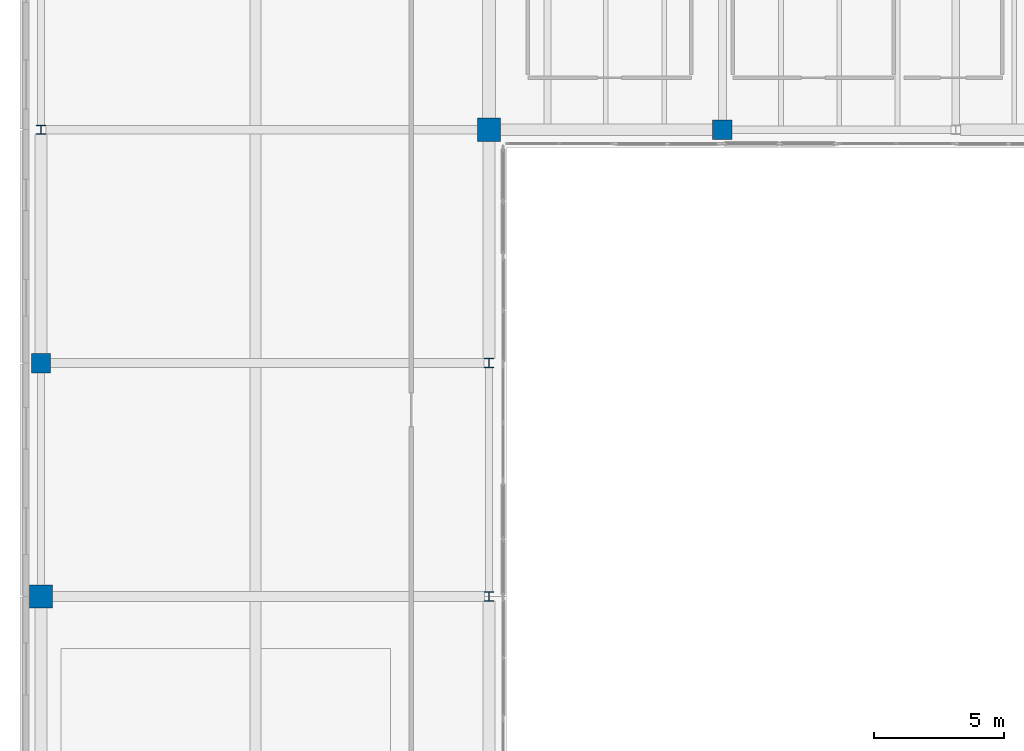
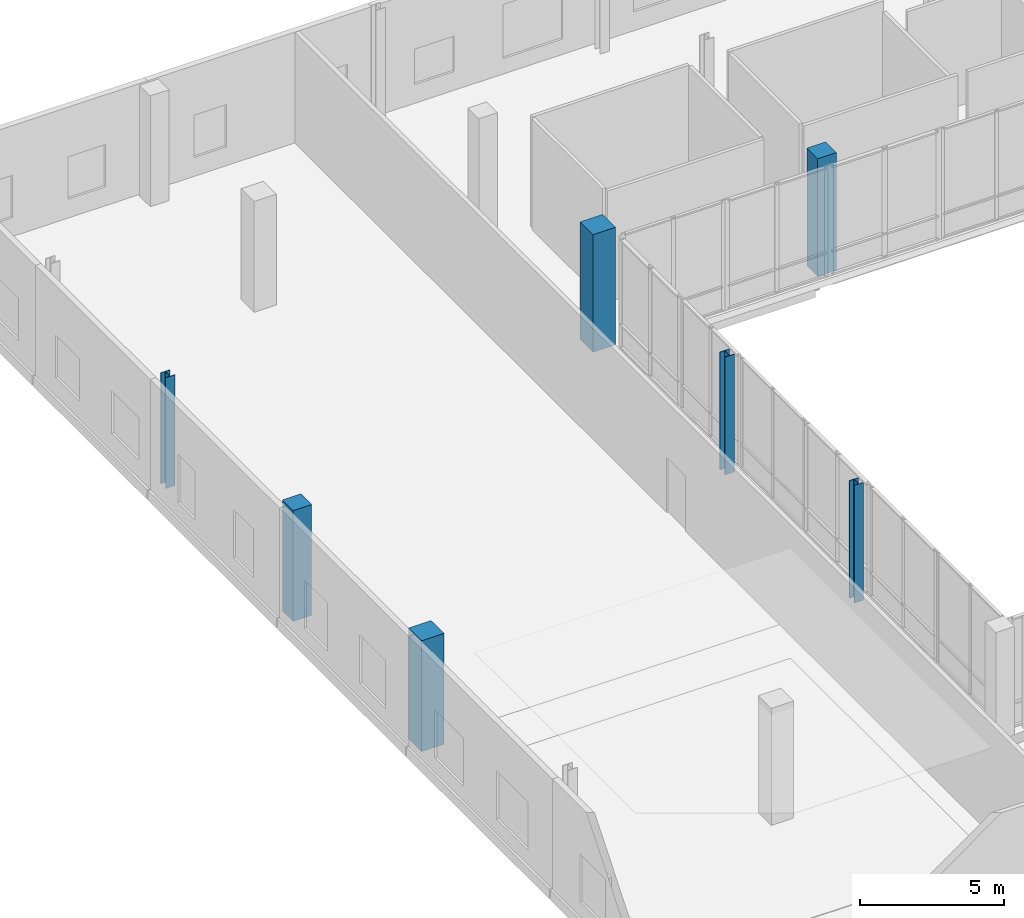
# One storey, part 7 of 73: 7 columns.
"""IFC4 building model written with IfcOpenShell, lengths in metres."""

from ifc_helpers import new_model, si_unit, direction, frame, origin, origin_2d, place, context, subcontext, project, spatial, rectangle, i_section, extrude, material, material_profile, profile_set, type_object, element, save


model = new_model("IFC4")

# Units and contexts
model_context = context("Model", 3, precision=1e-05, world=origin(), true_north=direction((0.0, 1.0)))
body_context = subcontext(model_context, "Body", "Model", "MODEL_VIEW")
ifc_project = project(units=[si_unit("LENGTHUNIT", "METRE"), si_unit("AREAUNIT", "SQUARE_METRE"), si_unit("VOLUMEUNIT", "CUBIC_METRE"), si_unit("PLANEANGLEUNIT", "RADIAN"), si_unit("MASSUNIT", "GRAM", prefix="KILO")], contexts=[model_context])

# Site, building, storey
site_placement = place(None, origin())
site = spatial("IfcSite", under=ifc_project, at=site_placement, CompositionType="ELEMENT")
building_placement = place(site_placement, origin())
building = spatial("IfcBuilding", under=site, at=building_placement, Name="Trimount Lyric Opera House", CompositionType="ELEMENT")
storey_placement = place(building_placement, frame((0.0, 0.0, 10.0)))
storey = spatial("IfcBuildingStorey", under=building, at=storey_placement, Name="L02", CompositionType="ELEMENT", Elevation=10.0)

# Columns
ifc_material_1 = material(Name="Steel ASTM A992 Grade 50", Category="steel")
ifc_material_profile_1 = material_profile(ifc_material_1, i_section(OverallWidth=0.373046875, OverallDepth=0.367919921875, WebThickness=0.014892578125, FlangeThickness=0.02392578125, FilletRadius=0.014892578125, at=origin_2d()), Name="W14X120")
ifc_profile_set_1 = profile_set([ifc_material_profile_1], Name="Steel ASTM A992 Grade 50")
column_type_1 = type_object("IfcColumnType", Name="C-04", PredefinedType="COLUMN", material=ifc_profile_set_1)
column_1_placement = place(storey_placement, frame((18.0, 93.0, 0.0), z_axis=(0.0, 0.0, 1.0), x_axis=(1.0, 0.0, 0.0)))
element("IfcColumn", 1, at=column_1_placement, inside=storey, type_object=column_type_1, Name="L02 column 3/L", PredefinedType="COLUMN", context=body_context, shape_type="SweptSolid", body=[
    extrude(i_section(OverallWidth=0.373046875, OverallDepth=0.367919921875, WebThickness=0.014892578125, FlangeThickness=0.02392578125, FilletRadius=0.014892578125, at=origin_2d()), origin(), (0.0, 0.0, 1.0), 5.0),
])
ifc_material_2 = material(Name="Steel ASTM A992 Grade 50", Category="steel")
ifc_material_profile_2 = material_profile(ifc_material_2, i_section(OverallWidth=0.367919921875, OverallDepth=0.35595703125, WebThickness=0.01123046875, FlangeThickness=0.01806640625, FilletRadius=0.014892578125, at=origin_2d()), Name="W14X90")
ifc_profile_set_2 = profile_set([ifc_material_profile_2], Name="Steel ASTM A992 Grade 50")
column_type_2 = type_object("IfcColumnType", Name="C-09", PredefinedType="COLUMN", material=ifc_profile_set_2)
column_2_placement = place(storey_placement, frame((0.719970703125, 102.0, 0.0), z_axis=(0.0, 0.0, 1.0), x_axis=(1.0, 0.0, 0.0)))
element("IfcColumn", 2, at=column_2_placement, inside=storey, type_object=column_type_2, Name="L02 column 1/M", PredefinedType="COLUMN", context=body_context, shape_type="SweptSolid", body=[
    extrude(i_section(OverallWidth=0.367919921875, OverallDepth=0.35595703125, WebThickness=0.01123046875, FlangeThickness=0.01806640625, FilletRadius=0.014892578125, at=origin_2d()), origin(), (0.0, 0.0, 1.0), 4.7099609375),
])
column_3_placement = place(storey_placement, frame((18.0, 84.0, 0.0), z_axis=(0.0, 0.0, 1.0), x_axis=(1.0, 0.0, 0.0)))
element("IfcColumn", 3, at=column_3_placement, inside=storey, type_object=column_type_2, Name="L02 column 3/K", PredefinedType="COLUMN", context=body_context, shape_type="SweptSolid", body=[
    extrude(i_section(OverallWidth=0.367919921875, OverallDepth=0.35595703125, WebThickness=0.01123046875, FlangeThickness=0.01806640625, FilletRadius=0.014892578125, at=origin_2d()), origin(), (0.0, 0.0, 1.0), 5.0),
])
ifc_material_3 = material(Name="Concrete C50/60", Category="concrete")
ifc_material_profile_3 = material_profile(ifc_material_3, rectangle(XDim=0.89990234375, YDim=0.89990234375, at=origin_2d()), Name="RC900X900")
ifc_profile_set_3 = profile_set([ifc_material_profile_3], Name="Concrete C50/60")
column_type_3 = type_object("IfcColumnType", Name="C-13", PredefinedType="COLUMN", material=ifc_profile_set_3)
column_4_placement = place(storey_placement, frame((0.719970703125, 84.0, 0.0), z_axis=(0.0, 0.0, 1.0), x_axis=(1.0, 0.0, 0.0)))
element("IfcColumn", 4, at=column_4_placement, inside=storey, type_object=column_type_3, Name="L02 column 1/K", PredefinedType="COLUMN", context=body_context, shape_type="SweptSolid", body=[
    extrude(rectangle(XDim=0.89990234375, YDim=0.89990234375, at=origin_2d()), origin(), (0.0, 0.0, 1.0), 4.7099609375),
])
column_5_placement = place(storey_placement, frame((18.0, 102.0, 0.0), z_axis=(0.0, 0.0, 1.0), x_axis=(1.0, 0.0, 0.0)))
element("IfcColumn", 5, at=column_5_placement, inside=storey, type_object=column_type_3, Name="L02 column 3/M", PredefinedType="COLUMN", context=body_context, shape_type="SweptSolid", body=[
    extrude(rectangle(XDim=0.89990234375, YDim=0.89990234375, at=origin_2d()), origin(), (0.0, 0.0, 1.0), 5.0),
])
ifc_material_4 = material(Name="Concrete C40/50", Category="concrete")
ifc_material_profile_4 = material_profile(ifc_material_4, rectangle(XDim=0.75, YDim=0.75, at=origin_2d()), Name="RC750X750")
ifc_profile_set_4 = profile_set([ifc_material_profile_4], Name="Concrete C40/50")
column_type_4 = type_object("IfcColumnType", Name="C-15", PredefinedType="COLUMN", material=ifc_profile_set_4)
column_6_placement = place(storey_placement, frame((0.719970703125, 93.0, 0.0), z_axis=(0.0, 0.0, 1.0), x_axis=(1.0, 0.0, 0.0)))
element("IfcColumn", 6, at=column_6_placement, inside=storey, type_object=column_type_4, Name="L02 column 1/L", PredefinedType="COLUMN", context=body_context, shape_type="SweptSolid", body=[
    extrude(rectangle(XDim=0.75, YDim=0.75, at=origin_2d()), origin(), (0.0, 0.0, 1.0), 4.7099609375),
])
column_7_placement = place(storey_placement, frame((27.0, 102.0, 0.0), z_axis=(0.0, 0.0, 1.0), x_axis=(1.0, 0.0, 0.0)))
element("IfcColumn", 7, at=column_7_placement, inside=storey, type_object=column_type_4, Name="L02 column 4/M", PredefinedType="COLUMN", context=body_context, shape_type="SweptSolid", body=[
    extrude(rectangle(XDim=0.75, YDim=0.75, at=origin_2d()), origin(), (0.0, 0.0, 1.0), 5.0),
])

save(model, "model.ifc")
